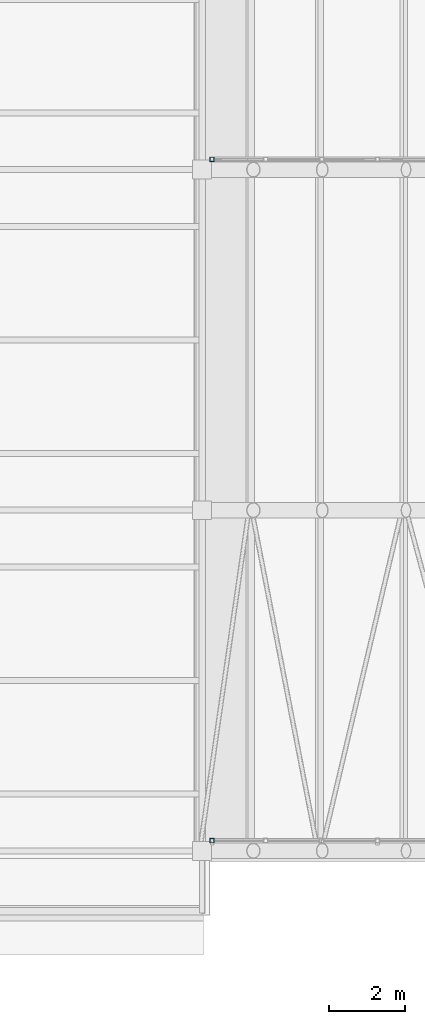
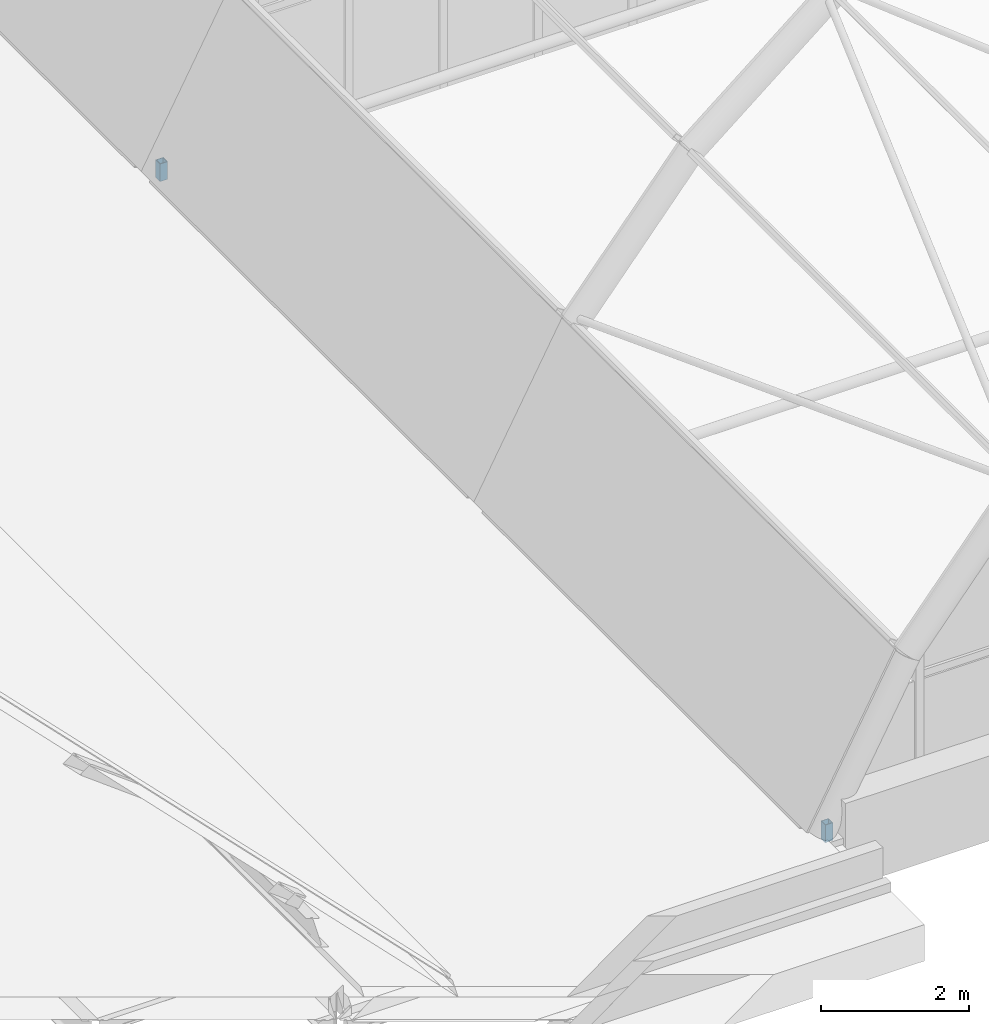
# One storey, part 64 of 121: 2 members, 2 elements without a shape of their own.
"""IFC4 building model written with IfcOpenShell, lengths in metres."""

import ifcopenshell
import ifcopenshell.guid

model = None  # the IFC model being written
_history = None  # IfcOwnerHistory: only IFC2X3 demands one
_inside = {}  # id of a spatial element -> (the spatial element, [elements in it])
_under = {}  # id of a project, library or spatial element -> (it, [spatial elements below it])
_declared = {}  # id of a project -> (the project, [libraries it declares])
_typed = {}  # id of a type object -> (the type object, [elements of that type])
_made_of = {}  # id of a material, layer set ... -> (it, [elements and type objects made of it])


def new_model(schema):
    """Start an empty IFC model of exactly this schema.

    Asked for "IFC4X3", IfcOpenShell would pick the latest addendum, in which some entities
    have other attributes; the version numbers below select the first issue.
    IFC2X3 requires an IfcOwnerHistory on every rooted entity: one is made here for all.
    """
    global model, _history
    if schema == "IFC4X3":
        model = ifcopenshell.file(schema_version=(4, 3, 0, 0))
    else:
        model = ifcopenshell.file(schema=schema)
    _inside.clear()
    _under.clear()
    _declared.clear()
    _typed.clear()
    _made_of.clear()
    _history = None
    if model.schema == "IFC2X3":
        org = make("IfcOrganization", Name="unknown")
        user = make(
            "IfcPersonAndOrganization",
            ThePerson=make("IfcPerson", FamilyName="unknown"),
            TheOrganization=org,
        )
        app = make(
            "IfcApplication",
            ApplicationDeveloper=org,
            Version="unknown",
            ApplicationFullName="unknown",
            ApplicationIdentifier="unknown",
        )
        _history = make(
            "IfcOwnerHistory",
            OwningUser=user,
            OwningApplication=app,
            ChangeAction="ADDED",
            CreationDate=0,
        )
    return model


def make(cls, **values):
    """One entity of the class cls with the attributes given. An attribute that is None is left unset."""
    return model.create_entity(
        cls, **{name: value for name, value in values.items() if value is not None}
    )


def rooted(cls, **values):
    """An entity with a GlobalId (a new one), such as an element, a storey or a relation."""
    return make(cls, GlobalId=ifcopenshell.guid.new(), OwnerHistory=_history, **values)


def si_unit(unit_type, name, prefix=None):
    """IfcSIUnit, for example si_unit("LENGTHUNIT", "METRE", prefix="MILLI")."""
    return make("IfcSIUnit", UnitType=unit_type, Prefix=prefix, Name=name)


def assignment(units):
    """IfcUnitAssignment: the units of a project."""
    return None if units is None else make("IfcUnitAssignment", Units=units)


def point(xyz):
    """IfcCartesianPoint."""
    return None if xyz is None else make("IfcCartesianPoint", Coordinates=xyz)


def direction(xyz):
    """IfcDirection."""
    return None if xyz is None else make("IfcDirection", DirectionRatios=xyz)


def frame(location, z_axis=None, x_axis=None):
    """IfcAxis2Placement3D, a coordinate frame: its origin and axes. An axis left out is left unset."""
    return make(
        "IfcAxis2Placement3D",
        Location=point(location),
        Axis=direction(z_axis),
        RefDirection=direction(x_axis),
    )


def frame_2d(location, x_axis=None):
    """IfcAxis2Placement2D, a coordinate frame in the plane: its origin and x axis."""
    return make(
        "IfcAxis2Placement2D", Location=point(location), RefDirection=direction(x_axis)
    )


def origin():
    """The frame at (0, 0, 0) with its axes left unset."""
    return frame((0.0, 0.0, 0.0))


def origin_2d():
    """The frame at (0, 0) in the plane with its x axis left unset."""
    return frame_2d((0.0, 0.0))


def place(relative_to, where):
    """IfcLocalPlacement: puts the frame where relative to a parent placement (None: the world)."""
    return make(
        "IfcLocalPlacement", PlacementRelTo=relative_to, RelativePlacement=where
    )


def context(
    kind, dimensions, precision=None, world=None, true_north=None, identifier=None
):
    """IfcGeometricRepresentationContext, for example the 3D "Model" context."""
    return make(
        "IfcGeometricRepresentationContext",
        ContextIdentifier=identifier,
        ContextType=kind,
        CoordinateSpaceDimension=dimensions,
        Precision=precision,
        WorldCoordinateSystem=world,
        TrueNorth=true_north,
    )


def subcontext(parent, identifier, kind, view, scale=None):
    """IfcGeometricRepresentationSubContext, for example "Body" below "Model"."""
    return make(
        "IfcGeometricRepresentationSubContext",
        ContextIdentifier=identifier,
        ContextType=kind,
        ParentContext=parent,
        TargetScale=scale,
        TargetView=view,
    )


def project(units=None, contexts=None):
    """IfcProject with its units and contexts."""
    return rooted(
        "IfcProject",
        Name="project",
        RepresentationContexts=contexts,
        UnitsInContext=assignment(units),
    )


def spatial(cls, under=None, at=None, **own):
    """A site, building, storey or space (cls), placed at a placement, below another one or the project."""
    s = rooted(cls, ObjectPlacement=at, **own)
    if under is not None:
        _under.setdefault(under.id(), (under, []))[1].append(s)
    return s


def profile(cls, at=None, kind="AREA", **sizes):
    """A parametric profile (cls). Its sizes go by their IFC names, for example OverallWidth=200.0."""
    return make(cls, ProfileType=kind, Position=at, **sizes)


def hollow_rectangle(**sizes):
    """IfcRectangleHollowProfileDef."""
    return profile("IfcRectangleHollowProfileDef", **sizes)


def extrude(swept, where, along, depth):
    """IfcExtrudedAreaSolid: the profile swept, set in the frame where, extruded along a direction by depth."""
    return make(
        "IfcExtrudedAreaSolid",
        SweptArea=swept,
        Position=where,
        ExtrudedDirection=direction(along),
        Depth=depth,
    )


def shape(context_of_items, identifier, shape_type, items):
    """IfcShapeRepresentation: the items that make up one representation, for example the "Body"."""
    return make(
        "IfcShapeRepresentation",
        ContextOfItems=context_of_items,
        RepresentationIdentifier=identifier,
        RepresentationType=shape_type,
        Items=items,
    )


def material(Name=None, Category=None):
    """IfcMaterial."""
    return make("IfcMaterial", Name=Name, Category=Category)


def material_profile(
    of_material, cross_section, Name=None, Category=None, Priority=None
):
    """IfcMaterialProfile: a cross section and its material."""
    return make(
        "IfcMaterialProfile",
        Name=Name,
        Material=of_material,
        Profile=cross_section,
        Priority=Priority,
        Category=Category,
    )


def profile_set(profiles, Name=None, composite=None):
    """IfcMaterialProfileSet."""
    return make(
        "IfcMaterialProfileSet",
        Name=Name,
        MaterialProfiles=profiles,
        CompositeProfile=composite,
    )


def made_of(thing, what):
    """Note that an element or type object is made of a material, layer set ...; save() writes the relation."""
    if what is not None:
        _made_of.setdefault(what.id(), (what, []))[1].append(thing)
    return thing


def type_object(cls, material=None, **own):
    """A type object (cls), such as IfcWallType, which elements share."""
    return made_of(rooted(cls, **own), material)


def element(
    cls,
    number,
    at=None,
    inside=None,
    cuts=None,
    type_object=None,
    material=None,
    context=None,
    identifier="Body",
    shape_type=None,
    held_by="IfcProductDefinitionShape",
    body=None,
    shapes=None,
    **own,
):
    """One element of the class cls, such as IfcWall. Its Tag is "e" and its number.

    at: its placement. inside: the storey or other place that contains it. cuts: it is an
    opening in that element (IfcRelVoidsElement). A single representation is given by context,
    identifier, shape_type and body (its items); several are given by shapes. held_by: the class
    of the entity that holds the representations. save() writes the other relations.
    """
    e = rooted(cls, Tag="e%d" % number, ObjectPlacement=at, **own)
    if body is not None:
        shapes = [shape(context, identifier, shape_type, body)]
    if shapes is not None:
        e.Representation = make(held_by, Representations=shapes)
    if inside is not None:
        _inside.setdefault(inside.id(), (inside, []))[1].append(e)
    if cuts is not None:
        rooted(
            "IfcRelVoidsElement", RelatingBuildingElement=cuts, RelatedOpeningElement=e
        )
    if type_object is not None:
        _typed.setdefault(type_object.id(), (type_object, []))[1].append(e)
    return made_of(e, material)


def aggregate(whole, parts):
    """IfcRelAggregates: a whole, such as a stair, and the parts it consists of."""
    return rooted("IfcRelAggregates", RelatingObject=whole, RelatedObjects=parts)


def save(model, path):
    """Write the relations noted so far, then the file.

    IfcRelAggregates (storeys below a building ...), IfcRelContainedInSpatialStructure (elements
    in a storey), IfcRelDefinesByType, IfcRelAssociatesMaterial and IfcRelDeclares: one each for
    every whole, place, type object, material and project.
    """
    for whole, parts in _under.values():
        aggregate(whole, parts)
    for where, things in _inside.values():
        rooted(
            "IfcRelContainedInSpatialStructure",
            RelatedElements=things,
            RelatingStructure=where,
        )
    for kind, things in _typed.values():
        rooted("IfcRelDefinesByType", RelatedObjects=things, RelatingType=kind)
    for what, things in _made_of.values():
        rooted("IfcRelAssociatesMaterial", RelatedObjects=things, RelatingMaterial=what)
    for by, libraries in _declared.values():
        rooted("IfcRelDeclares", RelatingContext=by, RelatedDefinitions=libraries)
    model.write(path)


model = new_model("IFC4")

# Units and contexts
model_context = context("Model", 3, precision=1e-05, world=origin(), true_north=direction((0.0, 1.0)))
body_context = subcontext(model_context, "Body", "Model", "MODEL_VIEW")
ifc_project = project(units=[si_unit("LENGTHUNIT", "METRE"), si_unit("AREAUNIT", "SQUARE_METRE"), si_unit("VOLUMEUNIT", "CUBIC_METRE"), si_unit("PLANEANGLEUNIT", "RADIAN"), si_unit("MASSUNIT", "GRAM", prefix="KILO")], contexts=[model_context])

# Site, building, storey
site_placement = place(None, origin())
site = spatial("IfcSite", under=ifc_project, at=site_placement, CompositionType="ELEMENT")
building_placement = place(site_placement, origin())
building = spatial("IfcBuilding", under=site, at=building_placement, Name="Golden Quay Civic Hall", CompositionType="ELEMENT")
storey_placement = place(building_placement, frame((0.0, 0.0, 18.60009765625)))
storey = spatial("IfcBuildingStorey", under=building, at=storey_placement, Name="L04", CompositionType="ELEMENT", Elevation=18.60009765625)

# Curtain wall, member
ifc_material_1 = material(Name="Fire-resisting glass and steel", Category="steel")
curtain_wall_type_1 = type_object("IfcCurtainWallType", Name="Fire-resisting glazed curtain wall EI 120", PredefinedType="NOTDEFINED", material=ifc_material_1)
curtain_wall_1_placement = place(storey_placement, origin())
curtain_wall_1 = element("IfcCurtainWall", 1, at=curtain_wall_1_placement, inside=storey, type_object=curtain_wall_type_1, Name="Curtain wall tympanum fire1", PredefinedType="NOTDEFINED")
ifc_material_2 = material(Name="Steel S355", Category="steel")
ifc_material_profile_1 = material_profile(ifc_material_2, hollow_rectangle(XDim=0.1201171875, YDim=0.1201171875, WallThickness=0.008056640625, at=origin_2d()), Name="SHS 120x120x8")
ifc_profile_set_1 = profile_set([ifc_material_profile_1], Name="Steel S355")
member_type_1 = type_object("IfcMemberType", Name="Fire-resisting steel mullion SHS 120x120x8", PredefinedType="MULLION", material=ifc_profile_set_1)
member_1_placement = place(storey_placement, frame((72.260009765625, 18.27001953125, -0.25), z_axis=(0.0, 0.0, 1.0), x_axis=(0.0, 1.0, 0.0)))
member_1 = element("IfcMember", 2, at=member_1_placement, type_object=member_type_1, Name="Tympanum mullion 1", PredefinedType="MULLION", context=body_context, shape_type="SweptSolid", body=[
    extrude(hollow_rectangle(XDim=0.1201171875, YDim=0.1201171875, WallThickness=0.008056640625, at=origin_2d()), origin(), (0.0, 0.0, 1.0), 0.292724609375),
])
aggregate(curtain_wall_1, [member_1])

ifc_material_3 = material(Name="Glass and aluminium", Category="aluminium")
curtain_wall_type_2 = type_object("IfcCurtainWallType", Name="Glazed curtain wall 1500 module", PredefinedType="NOTDEFINED", material=ifc_material_3)
curtain_wall_2_placement = place(storey_placement, origin())
curtain_wall_2 = element("IfcCurtainWall", 3, at=curtain_wall_2_placement, inside=storey, type_object=curtain_wall_type_2, Name="Curtain wall tympanum south", PredefinedType="NOTDEFINED")
ifc_material_4 = material(Name="Steel S355", Category="steel")
ifc_material_profile_2 = material_profile(ifc_material_4, hollow_rectangle(XDim=0.1201171875, YDim=0.1201171875, WallThickness=0.008056640625, at=origin_2d()), Name="SHS 120x120x8")
ifc_profile_set_2 = profile_set([ifc_material_profile_2], Name="Steel S355")
member_type_2 = type_object("IfcMemberType", Name="Steel mullion SHS 120x120x8", PredefinedType="MULLION", material=ifc_profile_set_2)
member_2_placement = place(storey_placement, frame((72.260009765625, 0.27001953125, -0.25), z_axis=(0.0, 0.0, 1.0), x_axis=(0.0, 1.0, 0.0)))
member_2 = element("IfcMember", 4, at=member_2_placement, type_object=member_type_2, Name="Tympanum mullion 1", PredefinedType="MULLION", context=body_context, shape_type="SweptSolid", body=[
    extrude(hollow_rectangle(XDim=0.1201171875, YDim=0.1201171875, WallThickness=0.008056640625, at=origin_2d()), origin(), (0.0, 0.0, 1.0), 0.292724609375),
])
aggregate(curtain_wall_2, [member_2])

save(model, "model.ifc")
